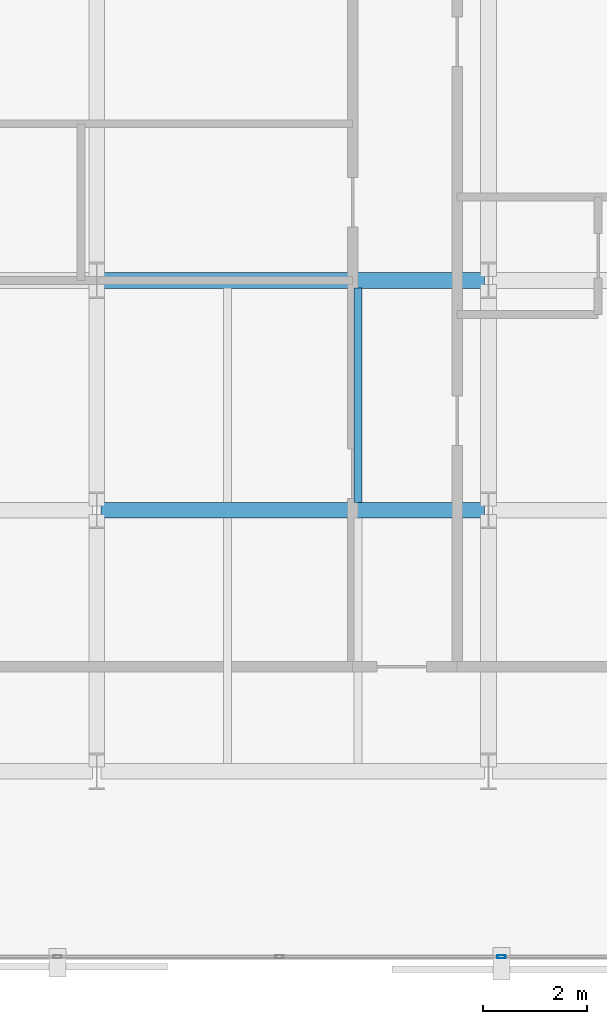
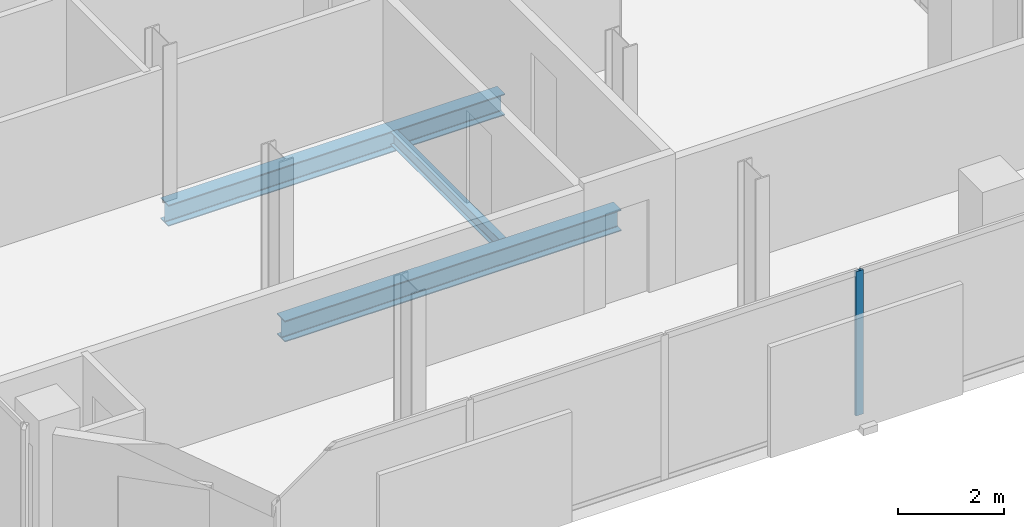
# One storey, part 6 of 33: 3 beams, 1 member, 1 element without a shape of its own.
"""IFC4 building model written with IfcOpenShell, lengths in metres."""

from ifc_helpers import new_model, si_unit, direction, frame, origin, origin_2d, place, context, subcontext, project, spatial, hollow_rectangle, i_section, extrude, material, layer, layer_set, material_profile, profile_set, type_object, element, aggregate, save


model = new_model("IFC4")

# Units and contexts
model_context = context("Model", 3, precision=1e-05, world=origin(), true_north=direction((0.0, 1.0)))
body_context = subcontext(model_context, "Body", "Model", "MODEL_VIEW")
ifc_project = project(units=[si_unit("LENGTHUNIT", "METRE"), si_unit("AREAUNIT", "SQUARE_METRE"), si_unit("VOLUMEUNIT", "CUBIC_METRE"), si_unit("PLANEANGLEUNIT", "RADIAN"), si_unit("MASSUNIT", "GRAM", prefix="KILO")], contexts=[model_context])

# Site, building, storey
site_placement = place(None, origin())
site = spatial("IfcSite", under=ifc_project, at=site_placement, CompositionType="ELEMENT")
building_placement = place(site_placement, origin())
building = spatial("IfcBuilding", under=site, at=building_placement, Name="Catumbela Crestline Tower", CompositionType="ELEMENT")
storey_placement = place(building_placement, frame((0.0, 0.0, 100.8)))
storey = spatial("IfcBuildingStorey", under=building, at=storey_placement, Name="L25", CompositionType="ELEMENT", Elevation=100.8)

# Beams
ifc_material_1 = material(Name="Structural steel S355J2", Category="steel")
ifc_material_profile_1 = material_profile(ifc_material_1, i_section(OverallWidth=0.3, OverallDepth=0.49, WebThickness=0.012, FlangeThickness=0.023, FilletRadius=0.027, at=origin_2d()), Name="HEA 500")
ifc_profile_set_1 = profile_set([ifc_material_profile_1], Name="Structural steel S355J2")
beam_type_1 = type_object("IfcBeamType", Name="BG-HEA500", PredefinedType="BEAM", material=ifc_profile_set_1)
for number, where, z_axis, x_axis, name in (
    (1, (8.58, 13.6, -0.505), (1.0, 0.0, 0.0), (0.0, 1.0, 0.0), "L25 Beam BM-L25-WEW47"),
    (2, (8.58, 18.0, -0.505), (1.0, 0.0, 0.0), (0.0, 1.0, 0.0), "L25 Beam BM-L25-WEW50"),
):
    element("IfcBeam", number, at=place(storey_placement, frame(where, z_axis=z_axis, x_axis=x_axis)), inside=storey, type_object=beam_type_1, Name=name, PredefinedType="BEAM", context=body_context, shape_type="SweptSolid", body=[
        extrude(i_section(OverallWidth=0.3, OverallDepth=0.49, WebThickness=0.012, FlangeThickness=0.023, FilletRadius=0.027, at=origin_2d()), origin(), (0.0, 0.0, 1.0), 7.34),
    ])
ifc_material_profile_2 = material_profile(ifc_material_1, i_section(OverallWidth=0.15, OverallDepth=0.3, WebThickness=0.0071, FlangeThickness=0.0107, FilletRadius=0.015, at=origin_2d()), Name="IPE 300")
ifc_profile_set_2 = profile_set([ifc_material_profile_2], Name="Structural steel S355J2")
beam_type_2 = type_object("IfcBeamType", Name="BJ-IPE300", PredefinedType="JOIST", material=ifc_profile_set_2)
beam_placement = place(storey_placement, frame((13.5, 13.747, -0.41), z_axis=(0.0, 1.0, 0.0), x_axis=(-1.0, 0.0, 0.0)))
element("IfcBeam", 3, at=beam_placement, inside=storey, type_object=beam_type_2, Name="L25 Joist JS-L25-WG72", PredefinedType="JOIST", context=body_context, shape_type="SweptSolid", body=[
    extrude(i_section(OverallWidth=0.15, OverallDepth=0.3, WebThickness=0.0071, FlangeThickness=0.0107, FilletRadius=0.015, at=origin_2d()), origin(), (0.0, 0.0, 1.0), 4.106),
])

# Curtain wall, member
ifc_material_2 = material(Name="Aluminium alloy AW-6060-T66", Category="aluminium")
ifc_layer = layer(ifc_material_2, 0.18, Name="Aluminium alloy AW-6060-T66")
ifc_layer_set = layer_set([ifc_layer], Name="Aluminium alloy AW-6060-T66")
curtain_wall_type = type_object("IfcCurtainWallType", Name="CWU-Z2", PredefinedType="USERDEFINED", material=ifc_layer_set)
curtain_wall_placement = place(storey_placement, origin())
curtain_wall = element("IfcCurtainWall", 4, at=curtain_wall_placement, inside=storey, type_object=curtain_wall_type, Name="L25 Unitised Curtain Wall CW-L25-E0S1", ObjectType="UNITISED", PredefinedType="USERDEFINED")
ifc_material_profile_3 = material_profile(ifc_material_2, hollow_rectangle(XDim=0.06, YDim=0.16, WallThickness=0.004, at=origin_2d()), Name="ALU 160x60x4")
ifc_profile_set_3 = profile_set([ifc_material_profile_3], Name="Aluminium alloy AW-6060-T66")
member_type = type_object("IfcMemberType", Name="MUL-160X60", PredefinedType="MULLION", material=ifc_profile_set_3)
member_placement = place(storey_placement, frame((16.25, 5.05, 0.0), z_axis=(0.0, 0.0, 1.0), x_axis=(0.0, 1.0, 0.0)))
member = element("IfcMember", 5, at=member_placement, type_object=member_type, Name="CWU-Z2 mullion 4", PredefinedType="MULLION", context=body_context, shape_type="SweptSolid", body=[
    extrude(hollow_rectangle(XDim=0.06, YDim=0.16, WallThickness=0.004, at=origin_2d()), origin(), (0.0, 0.0, 1.0), 3.33),
])
aggregate(curtain_wall, [member])

save(model, "model.ifc")
